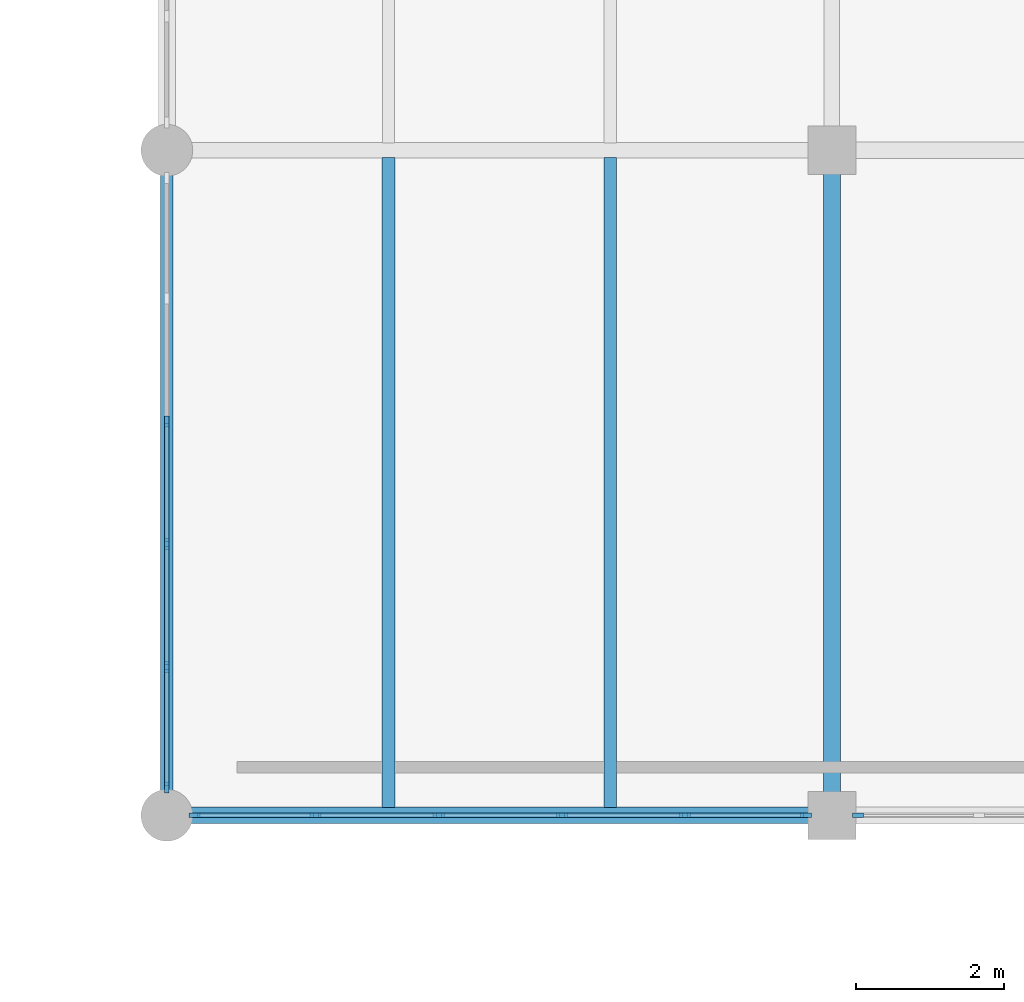
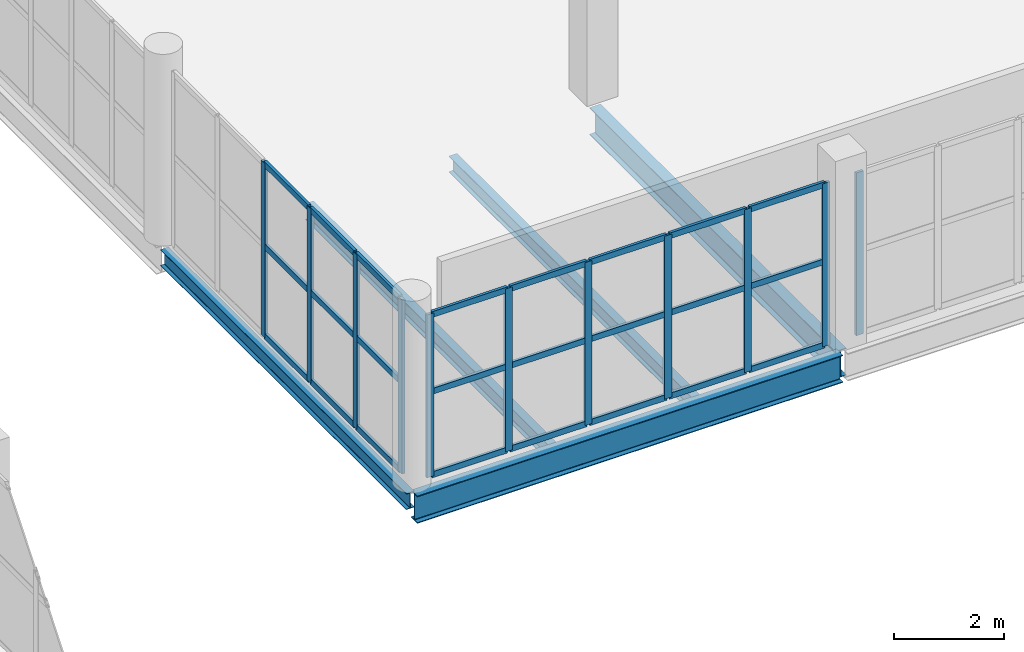
# One storey, part 37 of 85: 35 members, 5 beams, 3 elements without a shape of their own.
"""IFC4 building model written with IfcOpenShell, lengths in metres."""

from ifc_helpers import new_model, si_unit, direction, frame, origin, origin_2d, place, context, subcontext, project, spatial, rectangle, i_section, extrude, material, layer, layer_set, material_profile, profile_set, type_object, element, aggregate, save


model = new_model("IFC4")

# Units and contexts
model_context = context("Model", 3, precision=1e-05, world=origin(), true_north=direction((0.0, 1.0)))
body_context = subcontext(model_context, "Body", "Model", "MODEL_VIEW")
ifc_project = project(units=[si_unit("LENGTHUNIT", "METRE"), si_unit("AREAUNIT", "SQUARE_METRE"), si_unit("VOLUMEUNIT", "CUBIC_METRE"), si_unit("PLANEANGLEUNIT", "RADIAN"), si_unit("MASSUNIT", "GRAM", prefix="KILO")], contexts=[model_context])

# Site, building, storey
site_placement = place(None, origin())
site = spatial("IfcSite", under=ifc_project, at=site_placement, CompositionType="ELEMENT")
building_placement = place(site_placement, origin())
building = spatial("IfcBuilding", under=site, at=building_placement, Name="Marnock Terrace Opera House", CompositionType="ELEMENT")
storey_placement = place(building_placement, frame((0.0, 0.0, 10.199951171875)))
storey = spatial("IfcBuildingStorey", under=building, at=storey_placement, Name="L02", CompositionType="ELEMENT", Elevation=10.199951171875)

# Beams
ifc_material_1 = material(Name="Steel Grade 350 (AS/NZS 3679.1)", Category="steel")
ifc_material_profile_1 = material_profile(ifc_material_1, i_section(OverallWidth=0.1708984375, OverallDepth=0.355712890625, WebThickness=0.00732421875, FlangeThickness=0.011474609375, FilletRadius=0.011474609375, at=origin_2d()))
ifc_profile_set_1 = profile_set([ifc_material_profile_1], Name="Steel Grade 350 (AS/NZS 3679.1)")
beam_type_1 = type_object("IfcBeamType", Name="BM-GIRD-360", PredefinedType="BEAM", material=ifc_profile_set_1)
beam_1_placement = place(storey_placement, frame((118.0, 66.050048828125, -0.437744140625), z_axis=(0.0, 1.0, 0.0), x_axis=(-1.0, 0.0, 0.0)))
element("IfcBeam", 1, at=beam_1_placement, inside=storey, type_object=beam_type_1, Name="L02 girder (X=118.0, 66.0..75.0)", PredefinedType="BEAM", context=body_context, shape_type="SweptSolid", body=[
    extrude(i_section(OverallWidth=0.1708984375, OverallDepth=0.355712890625, WebThickness=0.00732421875, FlangeThickness=0.011474609375, FilletRadius=0.011474609375, at=origin_2d()), origin(), (0.0, 0.0, 1.0), 8.89990234375),
])
ifc_material_profile_2 = material_profile(ifc_material_1, i_section(OverallWidth=0.22802734375, OverallDepth=0.60693359375, WebThickness=0.01123046875, FlangeThickness=0.017333984375, FilletRadius=0.013916015625, at=origin_2d()))
ifc_profile_set_2 = profile_set([ifc_material_profile_2], Name="Steel Grade 350 (AS/NZS 3679.1)")
beam_type_2 = type_object("IfcBeamType", Name="BM-GIRD-610B", PredefinedType="BEAM", material=ifc_profile_set_2)
beam_2_placement = place(storey_placement, frame((118.050048828125, 66.0, -0.5634765625), z_axis=(1.0, 0.0, 0.0), x_axis=(0.0, 1.0, 0.0)))
element("IfcBeam", 2, at=beam_2_placement, inside=storey, type_object=beam_type_2, Name="L02 girder (118.0..127.0, Y=66.0)", PredefinedType="BEAM", context=body_context, shape_type="SweptSolid", body=[
    extrude(i_section(OverallWidth=0.22802734375, OverallDepth=0.60693359375, WebThickness=0.01123046875, FlangeThickness=0.017333984375, FilletRadius=0.013916015625, at=origin_2d()), origin(), (0.0, 0.0, 1.0), 8.89990234375),
])
ifc_material_profile_3 = material_profile(ifc_material_1, i_section(OverallWidth=0.22802734375, OverallDepth=0.60205078125, WebThickness=0.010498046875, FlangeThickness=0.014892578125, FilletRadius=0.013916015625, at=origin_2d()))
ifc_profile_set_3 = profile_set([ifc_material_profile_3], Name="Steel Grade 350 (AS/NZS 3679.1)")
beam_type_3 = type_object("IfcBeamType", Name="BM-GIRD-610C", PredefinedType="BEAM", material=ifc_profile_set_3)
beam_3_placement = place(storey_placement, frame((127.0, 66.050048828125, -0.56103515625), z_axis=(0.0, 1.0, 0.0), x_axis=(-1.0, 0.0, 0.0)))
element("IfcBeam", 3, at=beam_3_placement, inside=storey, type_object=beam_type_3, Name="L02 girder (X=127.0, 66.0..75.0)", PredefinedType="BEAM", context=body_context, shape_type="SweptSolid", body=[
    extrude(i_section(OverallWidth=0.22802734375, OverallDepth=0.60205078125, WebThickness=0.010498046875, FlangeThickness=0.014892578125, FilletRadius=0.013916015625, at=origin_2d()), origin(), (0.0, 0.0, 1.0), 8.89990234375),
])
ifc_material_profile_4 = material_profile(ifc_material_1, i_section(OverallWidth=0.172119140625, OverallDepth=0.358642578125, WebThickness=0.008056640625, FlangeThickness=0.012939453125, FilletRadius=0.011474609375, at=origin_2d()))
ifc_profile_set_4 = profile_set([ifc_material_profile_4], Name="Steel Grade 350 (AS/NZS 3679.1)")
beam_type_4 = type_object("IfcBeamType", Name="BM-JOIST-360", PredefinedType="JOIST", material=ifc_profile_set_4)
for number, where, z_axis, x_axis, name in (
    (4, (121.0, 66.10888671875, -0.439208984375), (0.0, 1.0, 0.0), (-1.0, 0.0, 0.0), "L02 secondary joist 13.8.1"),
    (5, (124.0, 66.10888671875, -0.439208984375), (0.0, 1.0, 0.0), (-1.0, 0.0, 0.0), "L02 secondary joist 13.8.2"),
):
    element("IfcBeam", number, at=place(storey_placement, frame(where, z_axis=z_axis, x_axis=x_axis)), inside=storey, type_object=beam_type_4, Name=name, PredefinedType="JOIST", context=body_context, shape_type="SweptSolid", body=[
        extrude(i_section(OverallWidth=0.172119140625, OverallDepth=0.358642578125, WebThickness=0.008056640625, FlangeThickness=0.012939453125, FilletRadius=0.011474609375, at=origin_2d()), origin(), (0.0, 0.0, 1.0), 8.79150390625),
    ])

# Curtain wall, members
ifc_material_2 = material(Name="Anodised architectural bronze aluminium framing", Category="aluminium")
ifc_layer = layer(ifc_material_2, 0.159912109375)
ifc_layer_set = layer_set([ifc_layer], Name="Anodised architectural bronze aluminium framing")
curtain_wall_type = type_object("IfcCurtainWallType", Name="CW-LOGGIA-86x42", PredefinedType="NOTDEFINED", material=ifc_layer_set)
curtain_wall_1_placement = place(storey_placement, origin())
curtain_wall_1 = element("IfcCurtainWall", 6, at=curtain_wall_1_placement, inside=storey, type_object=curtain_wall_type, Name="L02 glazed Beaux-Arts colonnade curtain wall CW-V5-L02-CN1", PredefinedType="NOTDEFINED")
ifc_material_profile_5 = material_profile(ifc_material_2, rectangle(XDim=0.06005859375, YDim=0.14990234375, at=origin_2d()))
ifc_profile_set_5 = profile_set([ifc_material_profile_5], Name="Anodised architectural bronze aluminium framing")
member_type_1 = type_object("IfcMemberType", Name="CWM-60x150", PredefinedType="MULLION", material=ifc_profile_set_5)
member_1_placement = place(storey_placement, frame((118.3759765625, 66.0, 0.0), z_axis=(0.0, 0.0, 1.0), x_axis=(0.0, 1.0, 0.0)))
member_1 = element("IfcMember", 7, at=member_1_placement, type_object=member_type_1, Name="CW-66 mullion 1", PredefinedType="MULLION", context=body_context, shape_type="SweptSolid", body=[
    extrude(rectangle(XDim=0.06005859375, YDim=0.14990234375, at=origin_2d()), origin(), (0.0, 0.0, 1.0), 3.60302734375),
])
member_2_placement = place(storey_placement, frame((120.0126953125, 66.0, 0.0), z_axis=(0.0, 0.0, 1.0), x_axis=(0.0, 1.0, 0.0)))
member_2 = element("IfcMember", 8, at=member_2_placement, type_object=member_type_1, Name="CW-66 mullion 2", PredefinedType="MULLION", context=body_context, shape_type="SweptSolid", body=[
    extrude(rectangle(XDim=0.06005859375, YDim=0.14990234375, at=origin_2d()), origin(), (0.0, 0.0, 1.0), 3.60302734375),
])
member_3_placement = place(storey_placement, frame((121.67919921875, 66.0, 0.0), z_axis=(0.0, 0.0, 1.0), x_axis=(0.0, 1.0, 0.0)))
member_3 = element("IfcMember", 9, at=member_3_placement, type_object=member_type_1, Name="CW-66 mullion 3", PredefinedType="MULLION", context=body_context, shape_type="SweptSolid", body=[
    extrude(rectangle(XDim=0.06005859375, YDim=0.14990234375, at=origin_2d()), origin(), (0.0, 0.0, 1.0), 3.60302734375),
])
member_4_placement = place(storey_placement, frame((123.345703125, 66.0, 0.0), z_axis=(0.0, 0.0, 1.0), x_axis=(0.0, 1.0, 0.0)))
member_4 = element("IfcMember", 10, at=member_4_placement, type_object=member_type_1, Name="CW-66 mullion 4", PredefinedType="MULLION", context=body_context, shape_type="SweptSolid", body=[
    extrude(rectangle(XDim=0.06005859375, YDim=0.14990234375, at=origin_2d()), origin(), (0.0, 0.0, 1.0), 3.60302734375),
])
member_5_placement = place(storey_placement, frame((125.012451171875, 66.0, 0.0), z_axis=(0.0, 0.0, 1.0), x_axis=(0.0, 1.0, 0.0)))
member_5 = element("IfcMember", 11, at=member_5_placement, type_object=member_type_1, Name="CW-66 mullion 5", PredefinedType="MULLION", context=body_context, shape_type="SweptSolid", body=[
    extrude(rectangle(XDim=0.06005859375, YDim=0.14990234375, at=origin_2d()), origin(), (0.0, 0.0, 1.0), 3.60302734375),
])
member_6_placement = place(storey_placement, frame((126.64892578125, 66.0, 0.0), z_axis=(0.0, 0.0, 1.0), x_axis=(0.0, 1.0, 0.0)))
member_6 = element("IfcMember", 12, at=member_6_placement, type_object=member_type_1, Name="CW-66 mullion 6", PredefinedType="MULLION", context=body_context, shape_type="SweptSolid", body=[
    extrude(rectangle(XDim=0.06005859375, YDim=0.14990234375, at=origin_2d()), origin(), (0.0, 0.0, 1.0), 3.60302734375),
])

# Curtain wall, member
curtain_wall_2_placement = place(storey_placement, origin())
curtain_wall_2 = element("IfcCurtainWall", 13, at=curtain_wall_2_placement, inside=storey, type_object=curtain_wall_type, Name="L02 glazed Beaux-Arts colonnade curtain wall CW-V5-L02-CN2", PredefinedType="NOTDEFINED")
member_7_placement = place(storey_placement, frame((127.35107421875, 66.0, 0.0), z_axis=(0.0, 0.0, 1.0), x_axis=(0.0, 1.0, 0.0)))
member_7 = element("IfcMember", 14, at=member_7_placement, type_object=member_type_1, Name="CW-66 mullion 1", PredefinedType="MULLION", context=body_context, shape_type="SweptSolid", body=[
    extrude(rectangle(XDim=0.06005859375, YDim=0.14990234375, at=origin_2d()), origin(), (0.0, 0.0, 1.0), 3.598388671875),
])
aggregate(curtain_wall_2, [member_7])

# Curtain wall, members
curtain_wall_3_placement = place(storey_placement, origin())
curtain_wall_3 = element("IfcCurtainWall", 15, at=curtain_wall_3_placement, inside=storey, type_object=curtain_wall_type, Name="L02 glazed Beaux-Arts colonnade curtain wall CW-V5-L02-W5", PredefinedType="NOTDEFINED")
member_8_placement = place(storey_placement, frame((118.0, 66.3759765625, 0.0), z_axis=(0.0, 0.0, 1.0), x_axis=(-1.0, 0.0, 0.0)))
member_8 = element("IfcMember", 16, at=member_8_placement, type_object=member_type_1, Name="CW-66 mullion 1", PredefinedType="MULLION", context=body_context, shape_type="SweptSolid", body=[
    extrude(rectangle(XDim=0.06005859375, YDim=0.14990234375, at=origin_2d()), origin(), (0.0, 0.0, 1.0), 3.8544921875),
])
member_9_placement = place(storey_placement, frame((118.0, 68.007568359375, 0.0), z_axis=(0.0, 0.0, 1.0), x_axis=(-1.0, 0.0, 0.0)))
member_9 = element("IfcMember", 17, at=member_9_placement, type_object=member_type_1, Name="CW-66 mullion 2", PredefinedType="MULLION", context=body_context, shape_type="SweptSolid", body=[
    extrude(rectangle(XDim=0.06005859375, YDim=0.14990234375, at=origin_2d()), origin(), (0.0, 0.0, 1.0), 3.8544921875),
])
member_10_placement = place(storey_placement, frame((118.0, 69.669189453125, 0.0), z_axis=(0.0, 0.0, 1.0), x_axis=(-1.0, 0.0, 0.0)))
member_10 = element("IfcMember", 18, at=member_10_placement, type_object=member_type_1, Name="CW-66 mullion 3", PredefinedType="MULLION", context=body_context, shape_type="SweptSolid", body=[
    extrude(rectangle(XDim=0.06005859375, YDim=0.14990234375, at=origin_2d()), origin(), (0.0, 0.0, 1.0), 3.8544921875),
])
member_11_placement = place(storey_placement, frame((118.0, 71.330810546875, 0.0), z_axis=(0.0, 0.0, 1.0), x_axis=(-1.0, 0.0, 0.0)))
member_11 = element("IfcMember", 19, at=member_11_placement, type_object=member_type_1, Name="CW-66 mullion 4", PredefinedType="MULLION", context=body_context, shape_type="SweptSolid", body=[
    extrude(rectangle(XDim=0.06005859375, YDim=0.14990234375, at=origin_2d()), origin(), (0.0, 0.0, 1.0), 3.8544921875),
])

# Member
ifc_material_profile_6 = material_profile(ifc_material_2, rectangle(XDim=0.06005859375, YDim=0.1298828125, at=origin_2d()))
ifc_profile_set_6 = profile_set([ifc_material_profile_6], Name="Anodised architectural bronze aluminium framing")
member_type_2 = type_object("IfcMemberType", Name="CWT-60x130", PredefinedType="USERDEFINED", material=ifc_profile_set_6)
member_12_placement = place(storey_placement, frame((118.406005859375, 66.0, 0.030029296875), z_axis=(1.0, 0.0, 0.0), x_axis=(0.0, 1.0, 0.0)))
member_12 = element("IfcMember", 20, at=member_12_placement, type_object=member_type_2, Name="CW-66 transom 1.1", ObjectType="TRANSOM", PredefinedType="USERDEFINED", context=body_context, shape_type="SweptSolid", body=[
    extrude(rectangle(XDim=0.06005859375, YDim=0.1298828125, at=origin_2d()), origin(), (0.0, 0.0, 1.0), 1.57666015625),
])

member_13_placement = place(storey_placement, frame((118.406005859375, 66.0, 1.87353515625), z_axis=(1.0, 0.0, 0.0), x_axis=(0.0, 1.0, 0.0)))
member_13 = element("IfcMember", 21, at=member_13_placement, type_object=member_type_2, Name="CW-66 transom 1.2", ObjectType="TRANSOM", PredefinedType="USERDEFINED", context=body_context, shape_type="SweptSolid", body=[
    extrude(rectangle(XDim=0.06005859375, YDim=0.1298828125, at=origin_2d()), origin(), (0.0, 0.0, 1.0), 1.57666015625),
])

member_14_placement = place(storey_placement, frame((118.406005859375, 66.0, 3.572998046875), z_axis=(1.0, 0.0, 0.0), x_axis=(0.0, 1.0, 0.0)))
member_14 = element("IfcMember", 22, at=member_14_placement, type_object=member_type_2, Name="CW-66 transom 1.3", ObjectType="TRANSOM", PredefinedType="USERDEFINED", context=body_context, shape_type="SweptSolid", body=[
    extrude(rectangle(XDim=0.06005859375, YDim=0.1298828125, at=origin_2d()), origin(), (0.0, 0.0, 1.0), 1.57666015625),
])

member_15_placement = place(storey_placement, frame((120.04248046875, 66.0, 0.030029296875), z_axis=(1.0, 0.0, 0.0), x_axis=(0.0, 1.0, 0.0)))
member_15 = element("IfcMember", 23, at=member_15_placement, type_object=member_type_2, Name="CW-66 transom 2.1", ObjectType="TRANSOM", PredefinedType="USERDEFINED", context=body_context, shape_type="SweptSolid", body=[
    extrude(rectangle(XDim=0.06005859375, YDim=0.1298828125, at=origin_2d()), origin(), (0.0, 0.0, 1.0), 1.606689453125),
])

member_16_placement = place(storey_placement, frame((120.04248046875, 66.0, 1.87353515625), z_axis=(1.0, 0.0, 0.0), x_axis=(0.0, 1.0, 0.0)))
member_16 = element("IfcMember", 24, at=member_16_placement, type_object=member_type_2, Name="CW-66 transom 2.2", ObjectType="TRANSOM", PredefinedType="USERDEFINED", context=body_context, shape_type="SweptSolid", body=[
    extrude(rectangle(XDim=0.06005859375, YDim=0.1298828125, at=origin_2d()), origin(), (0.0, 0.0, 1.0), 1.606689453125),
])

member_17_placement = place(storey_placement, frame((120.04248046875, 66.0, 3.572998046875), z_axis=(1.0, 0.0, 0.0), x_axis=(0.0, 1.0, 0.0)))
member_17 = element("IfcMember", 25, at=member_17_placement, type_object=member_type_2, Name="CW-66 transom 2.3", ObjectType="TRANSOM", PredefinedType="USERDEFINED", context=body_context, shape_type="SweptSolid", body=[
    extrude(rectangle(XDim=0.06005859375, YDim=0.1298828125, at=origin_2d()), origin(), (0.0, 0.0, 1.0), 1.606689453125),
])

member_18_placement = place(storey_placement, frame((121.709228515625, 66.0, 0.030029296875), z_axis=(1.0, 0.0, 0.0), x_axis=(0.0, 1.0, 0.0)))
member_18 = element("IfcMember", 26, at=member_18_placement, type_object=member_type_2, Name="CW-66 transom 3.1", ObjectType="TRANSOM", PredefinedType="USERDEFINED", context=body_context, shape_type="SweptSolid", body=[
    extrude(rectangle(XDim=0.06005859375, YDim=0.1298828125, at=origin_2d()), origin(), (0.0, 0.0, 1.0), 1.606689453125),
])

member_19_placement = place(storey_placement, frame((121.709228515625, 66.0, 1.87353515625), z_axis=(1.0, 0.0, 0.0), x_axis=(0.0, 1.0, 0.0)))
member_19 = element("IfcMember", 27, at=member_19_placement, type_object=member_type_2, Name="CW-66 transom 3.2", ObjectType="TRANSOM", PredefinedType="USERDEFINED", context=body_context, shape_type="SweptSolid", body=[
    extrude(rectangle(XDim=0.06005859375, YDim=0.1298828125, at=origin_2d()), origin(), (0.0, 0.0, 1.0), 1.606689453125),
])

member_20_placement = place(storey_placement, frame((121.709228515625, 66.0, 3.572998046875), z_axis=(1.0, 0.0, 0.0), x_axis=(0.0, 1.0, 0.0)))
member_20 = element("IfcMember", 28, at=member_20_placement, type_object=member_type_2, Name="CW-66 transom 3.3", ObjectType="TRANSOM", PredefinedType="USERDEFINED", context=body_context, shape_type="SweptSolid", body=[
    extrude(rectangle(XDim=0.06005859375, YDim=0.1298828125, at=origin_2d()), origin(), (0.0, 0.0, 1.0), 1.606689453125),
])

member_21_placement = place(storey_placement, frame((123.375732421875, 66.0, 0.030029296875), z_axis=(1.0, 0.0, 0.0), x_axis=(0.0, 1.0, 0.0)))
member_21 = element("IfcMember", 29, at=member_21_placement, type_object=member_type_2, Name="CW-66 transom 4.1", ObjectType="TRANSOM", PredefinedType="USERDEFINED", context=body_context, shape_type="SweptSolid", body=[
    extrude(rectangle(XDim=0.06005859375, YDim=0.1298828125, at=origin_2d()), origin(), (0.0, 0.0, 1.0), 1.606689453125),
])

member_22_placement = place(storey_placement, frame((123.375732421875, 66.0, 1.87353515625), z_axis=(1.0, 0.0, 0.0), x_axis=(0.0, 1.0, 0.0)))
member_22 = element("IfcMember", 30, at=member_22_placement, type_object=member_type_2, Name="CW-66 transom 4.2", ObjectType="TRANSOM", PredefinedType="USERDEFINED", context=body_context, shape_type="SweptSolid", body=[
    extrude(rectangle(XDim=0.06005859375, YDim=0.1298828125, at=origin_2d()), origin(), (0.0, 0.0, 1.0), 1.606689453125),
])

member_23_placement = place(storey_placement, frame((123.375732421875, 66.0, 3.572998046875), z_axis=(1.0, 0.0, 0.0), x_axis=(0.0, 1.0, 0.0)))
member_23 = element("IfcMember", 31, at=member_23_placement, type_object=member_type_2, Name="CW-66 transom 4.3", ObjectType="TRANSOM", PredefinedType="USERDEFINED", context=body_context, shape_type="SweptSolid", body=[
    extrude(rectangle(XDim=0.06005859375, YDim=0.1298828125, at=origin_2d()), origin(), (0.0, 0.0, 1.0), 1.606689453125),
])

member_24_placement = place(storey_placement, frame((125.04248046875, 66.0, 0.030029296875), z_axis=(1.0, 0.0, 0.0), x_axis=(0.0, 1.0, 0.0)))
member_24 = element("IfcMember", 32, at=member_24_placement, type_object=member_type_2, Name="CW-66 transom 5.1", ObjectType="TRANSOM", PredefinedType="USERDEFINED", context=body_context, shape_type="SweptSolid", body=[
    extrude(rectangle(XDim=0.06005859375, YDim=0.1298828125, at=origin_2d()), origin(), (0.0, 0.0, 1.0), 1.576416015625),
])

member_25_placement = place(storey_placement, frame((125.04248046875, 66.0, 1.87353515625), z_axis=(1.0, 0.0, 0.0), x_axis=(0.0, 1.0, 0.0)))
member_25 = element("IfcMember", 33, at=member_25_placement, type_object=member_type_2, Name="CW-66 transom 5.2", ObjectType="TRANSOM", PredefinedType="USERDEFINED", context=body_context, shape_type="SweptSolid", body=[
    extrude(rectangle(XDim=0.06005859375, YDim=0.1298828125, at=origin_2d()), origin(), (0.0, 0.0, 1.0), 1.576416015625),
])

member_26_placement = place(storey_placement, frame((125.04248046875, 66.0, 3.572998046875), z_axis=(1.0, 0.0, 0.0), x_axis=(0.0, 1.0, 0.0)))
member_26 = element("IfcMember", 34, at=member_26_placement, type_object=member_type_2, Name="CW-66 transom 5.3", ObjectType="TRANSOM", PredefinedType="USERDEFINED", context=body_context, shape_type="SweptSolid", body=[
    extrude(rectangle(XDim=0.06005859375, YDim=0.1298828125, at=origin_2d()), origin(), (0.0, 0.0, 1.0), 1.576416015625),
])

aggregate(curtain_wall_1, [member_1, member_2, member_3, member_4, member_5, member_6, member_12, member_13, member_14, member_15, member_16, member_17, member_18, member_19, member_20, member_21, member_22, member_23, member_24, member_25, member_26])

member_27_placement = place(storey_placement, frame((118.0, 66.406005859375, 0.030029296875), z_axis=(0.0, 1.0, 0.0), x_axis=(-1.0, 0.0, 0.0)))
member_27 = element("IfcMember", 35, at=member_27_placement, type_object=member_type_2, Name="CW-66 transom 1.1", ObjectType="TRANSOM", PredefinedType="USERDEFINED", context=body_context, shape_type="SweptSolid", body=[
    extrude(rectangle(XDim=0.06005859375, YDim=0.1298828125, at=origin_2d()), origin(), (0.0, 0.0, 1.0), 1.571533203125),
])

member_28_placement = place(storey_placement, frame((118.0, 66.406005859375, 2.00439453125), z_axis=(0.0, 1.0, 0.0), x_axis=(-1.0, 0.0, 0.0)))
member_28 = element("IfcMember", 36, at=member_28_placement, type_object=member_type_2, Name="CW-66 transom 1.2", ObjectType="TRANSOM", PredefinedType="USERDEFINED", context=body_context, shape_type="SweptSolid", body=[
    extrude(rectangle(XDim=0.06005859375, YDim=0.1298828125, at=origin_2d()), origin(), (0.0, 0.0, 1.0), 1.571533203125),
])

member_29_placement = place(storey_placement, frame((118.0, 66.406005859375, 3.824462890625), z_axis=(0.0, 1.0, 0.0), x_axis=(-1.0, 0.0, 0.0)))
member_29 = element("IfcMember", 37, at=member_29_placement, type_object=member_type_2, Name="CW-66 transom 1.3", ObjectType="TRANSOM", PredefinedType="USERDEFINED", context=body_context, shape_type="SweptSolid", body=[
    extrude(rectangle(XDim=0.06005859375, YDim=0.1298828125, at=origin_2d()), origin(), (0.0, 0.0, 1.0), 1.571533203125),
])

member_30_placement = place(storey_placement, frame((118.0, 68.03759765625, 0.030029296875), z_axis=(0.0, 1.0, 0.0), x_axis=(-1.0, 0.0, 0.0)))
member_30 = element("IfcMember", 38, at=member_30_placement, type_object=member_type_2, Name="CW-66 transom 2.1", ObjectType="TRANSOM", PredefinedType="USERDEFINED", context=body_context, shape_type="SweptSolid", body=[
    extrude(rectangle(XDim=0.06005859375, YDim=0.1298828125, at=origin_2d()), origin(), (0.0, 0.0, 1.0), 1.6015625),
])

member_31_placement = place(storey_placement, frame((118.0, 68.03759765625, 2.00439453125), z_axis=(0.0, 1.0, 0.0), x_axis=(-1.0, 0.0, 0.0)))
member_31 = element("IfcMember", 39, at=member_31_placement, type_object=member_type_2, Name="CW-66 transom 2.2", ObjectType="TRANSOM", PredefinedType="USERDEFINED", context=body_context, shape_type="SweptSolid", body=[
    extrude(rectangle(XDim=0.06005859375, YDim=0.1298828125, at=origin_2d()), origin(), (0.0, 0.0, 1.0), 1.6015625),
])

member_32_placement = place(storey_placement, frame((118.0, 68.03759765625, 3.824462890625), z_axis=(0.0, 1.0, 0.0), x_axis=(-1.0, 0.0, 0.0)))
member_32 = element("IfcMember", 40, at=member_32_placement, type_object=member_type_2, Name="CW-66 transom 2.3", ObjectType="TRANSOM", PredefinedType="USERDEFINED", context=body_context, shape_type="SweptSolid", body=[
    extrude(rectangle(XDim=0.06005859375, YDim=0.1298828125, at=origin_2d()), origin(), (0.0, 0.0, 1.0), 1.6015625),
])

member_33_placement = place(storey_placement, frame((118.0, 69.69921875, 0.030029296875), z_axis=(0.0, 1.0, 0.0), x_axis=(-1.0, 0.0, 0.0)))
member_33 = element("IfcMember", 41, at=member_33_placement, type_object=member_type_2, Name="CW-66 transom 3.1", ObjectType="TRANSOM", PredefinedType="USERDEFINED", context=body_context, shape_type="SweptSolid", body=[
    extrude(rectangle(XDim=0.06005859375, YDim=0.1298828125, at=origin_2d()), origin(), (0.0, 0.0, 1.0), 1.6015625),
])

member_34_placement = place(storey_placement, frame((118.0, 69.69921875, 2.00439453125), z_axis=(0.0, 1.0, 0.0), x_axis=(-1.0, 0.0, 0.0)))
member_34 = element("IfcMember", 42, at=member_34_placement, type_object=member_type_2, Name="CW-66 transom 3.2", ObjectType="TRANSOM", PredefinedType="USERDEFINED", context=body_context, shape_type="SweptSolid", body=[
    extrude(rectangle(XDim=0.06005859375, YDim=0.1298828125, at=origin_2d()), origin(), (0.0, 0.0, 1.0), 1.6015625),
])

member_35_placement = place(storey_placement, frame((118.0, 69.69921875, 3.824462890625), z_axis=(0.0, 1.0, 0.0), x_axis=(-1.0, 0.0, 0.0)))
member_35 = element("IfcMember", 43, at=member_35_placement, type_object=member_type_2, Name="CW-66 transom 3.3", ObjectType="TRANSOM", PredefinedType="USERDEFINED", context=body_context, shape_type="SweptSolid", body=[
    extrude(rectangle(XDim=0.06005859375, YDim=0.1298828125, at=origin_2d()), origin(), (0.0, 0.0, 1.0), 1.6015625),
])

aggregate(curtain_wall_3, [member_8, member_9, member_10, member_11, member_27, member_28, member_29, member_30, member_31, member_32, member_33, member_34, member_35])

save(model, "model.ifc")
